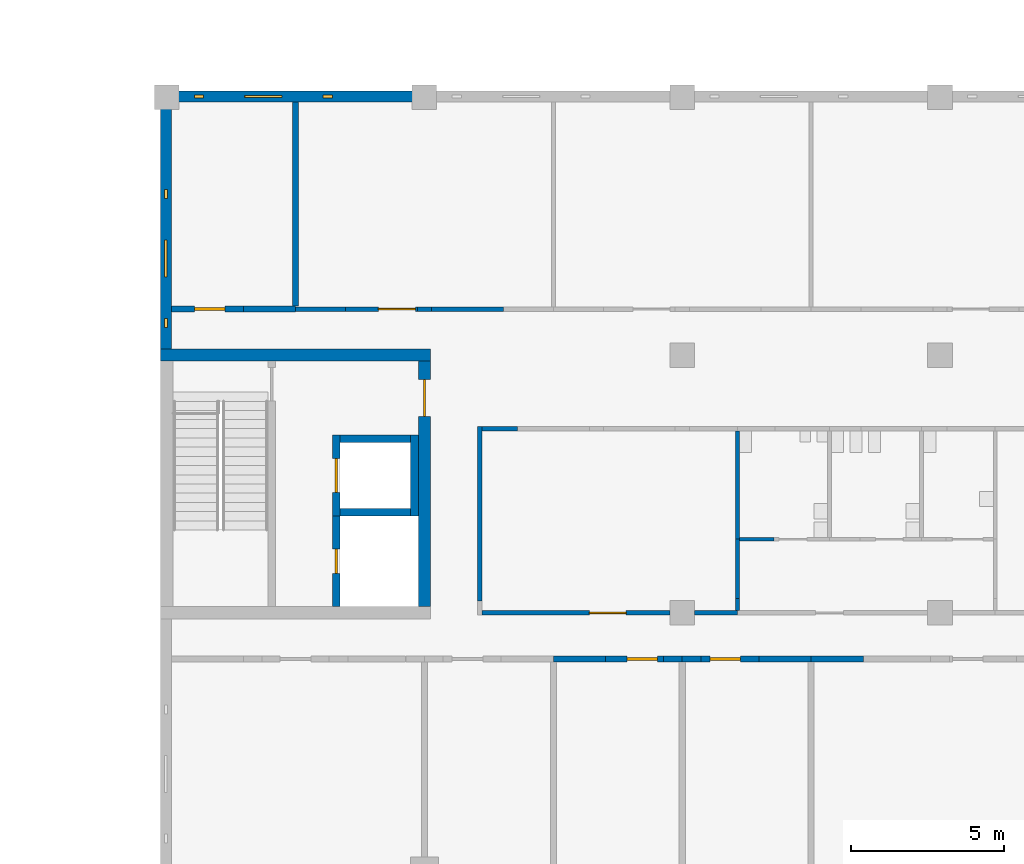
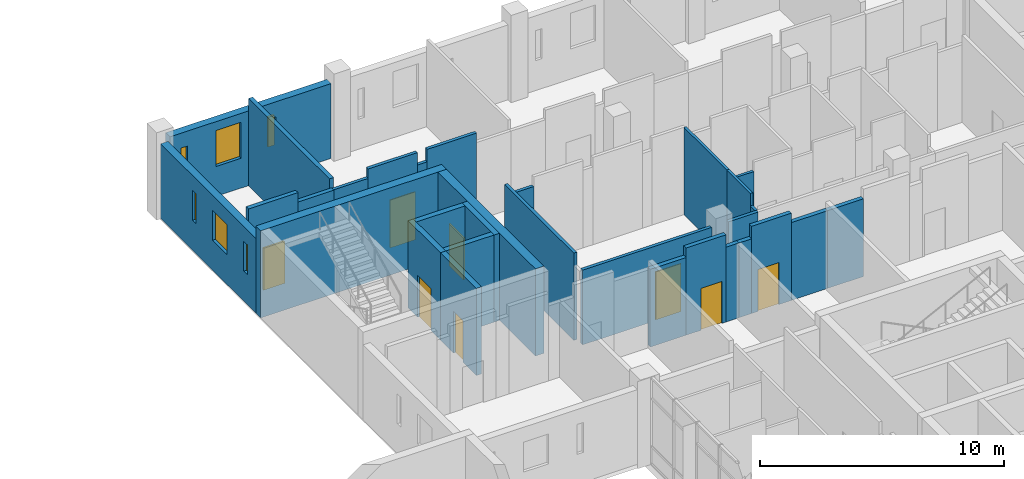
# One storey, part 46 of 70: 31 walls, 8 doors, 6 windows, 14 openings.
"""IFC4 building model written with IfcOpenShell, lengths in metres."""

from ifc_helpers import new_model, si_unit, direction, frame, frame_2d, origin, place, context, subcontext, project, spatial, rectangle, extrude, material, layer, layer_set, type_object, element, fill, save


model = new_model("IFC4")

# Units and contexts
model_context = context("Model", 3, precision=1e-05, world=origin(), true_north=direction((0.0, 1.0)))
body_context = subcontext(model_context, "Body", "Model", "MODEL_VIEW")
ifc_project = project(units=[si_unit("LENGTHUNIT", "METRE"), si_unit("AREAUNIT", "SQUARE_METRE"), si_unit("VOLUMEUNIT", "CUBIC_METRE"), si_unit("PLANEANGLEUNIT", "RADIAN"), si_unit("MASSUNIT", "GRAM", prefix="KILO")], contexts=[model_context])

# Site, building, storey
site_placement = place(None, origin())
site = spatial("IfcSite", under=ifc_project, at=site_placement, CompositionType="ELEMENT")
building_placement = place(site_placement, origin())
building = spatial("IfcBuilding", under=site, at=building_placement, Name="Hlaing Beacon Police Headquarters", CompositionType="ELEMENT")
storey_placement = place(building_placement, frame((0.0, 0.0, 5.39990234375)))
storey = spatial("IfcBuildingStorey", under=building, at=storey_placement, Name="L01", CompositionType="ELEMENT", Elevation=5.39990234375)

# Wall
ifc_material_1 = material(Name="Concrete C60/75", Category="concrete")
ifc_layer_1 = layer(ifc_material_1, 0.39990234375)
ifc_layer_set_1 = layer_set([ifc_layer_1], Name="Concrete C60/75")
wall_type_1 = type_object("IfcWallType", Name="Core shear wall 400", PredefinedType="SHEAR", material=ifc_layer_set_1)
wall_1_placement = place(storey_placement, frame((92.199951171875, 84.0, 0.0), z_axis=(0.0, 0.0, 1.0), x_axis=(1.0, 0.0, 0.0)))
element("IfcWall", 1, at=wall_1_placement, inside=storey, type_object=wall_type_1, Name="Core shear wall", PredefinedType="SHEAR", context=body_context, shape_type="SweptSolid", body=[
    extrude(rectangle(XDim=8.800048828125, YDim=0.39990234375, at=frame_2d((4.39990234375, 0.0))), origin(), (0.0, 0.0, 1.0), 4.3701171875),
])

# Wall, opening, door
wall_2_placement = place(storey_placement, frame((100.800048828125, 75.800048828125, 0.0), z_axis=(0.0, 0.0, 1.0), x_axis=(0.0, 1.0, 0.0)))
wall_2 = element("IfcWall", 2, at=wall_2_placement, inside=storey, type_object=wall_type_1, Name="Core shear wall", PredefinedType="SHEAR", context=body_context, shape_type="SweptSolid", body=[
    extrude(rectangle(XDim=8.0, YDim=0.39990234375, at=frame_2d((4.0, 0.0))), origin(), (0.0, 0.0, 1.0), 4.3701171875),
])
opening_1_placement = place(wall_2_placement, frame((6.199951171875, 0.0, 0.0)))
opening_1 = element("IfcOpeningElement", 3, at=opening_1_placement, cuts=wall_2, Name="Opening L01-966", PredefinedType="OPENING", context=body_context, shape_type="SweptSolid", body=[
    extrude(rectangle(XDim=1.199951171875, YDim=2.10009765625, at=frame_2d((0.60009765625, 1.050048828125))), frame((0.0, 0.2099609375, 0.0), z_axis=(0.0, -1.0, 0.0), x_axis=(1.0, 0.0, 0.0)), (0.0, 0.0, 1.0), 0.419921875),
])
ifc_material_2 = material(Name="Steel fire door leaf", Category="steel")
ifc_layer_2 = layer(ifc_material_2, 0.070068359375)
ifc_layer_set_2 = layer_set([ifc_layer_2], Name="Steel fire door leaf")
door_type_1 = type_object("IfcDoorType", Name="Steel fire door FD60S 1200x2100", OperationType="SINGLE_SWING_LEFT", PredefinedType="DOOR", material=ifc_layer_set_2)
door_1_placement = place(opening_1_placement, origin())
door_1 = element("IfcDoor", 4, at=door_1_placement, inside=storey, type_object=door_type_1, Name="Door Lift and Stair Lobby ST-Q Entry", OperationType="SINGLE_SWING_RIGHT", OverallHeight=2.10009765625, OverallWidth=1.199951171875, PredefinedType="DOOR", context=body_context, shape_type="SweptSolid", body=[
    extrude(rectangle(XDim=1.199951171875, YDim=2.10009765625, at=frame_2d((0.60009765625, 1.050048828125))), frame((0.0, 0.03515625, 0.0), z_axis=(0.0, -1.0, 0.0), x_axis=(1.0, 0.0, 0.0)), (0.0, 0.0, 1.0), 0.070068359375),
])
fill(opening_1, door_1)

# Wall
ifc_material_3 = material(Name="Gypsum board partition")
ifc_layer_3 = layer(ifc_material_3, 0.14990234375)
ifc_layer_set_3 = layer_set([ifc_layer_3], Name="Gypsum board partition")
wall_type_2 = type_object("IfcWallType", Name="Corridor wall EI 30 150", PredefinedType="PARTITIONING", material=ifc_layer_set_3)
wall_3_placement = place(storey_placement, frame((102.60009765625, 75.985107421875, 0.0), z_axis=(0.0, 0.0, 1.0), x_axis=(0.0, 1.0, 0.0)))
element("IfcWall", 5, at=wall_3_placement, inside=storey, type_object=wall_type_2, Name="Corridor wall EI 30 150", PredefinedType="PARTITIONING", context=body_context, shape_type="SweptSolid", body=[
    extrude(rectangle(XDim=5.68994140625, YDim=0.14990234375, at=frame_2d((2.844970703125, 0.0))), origin(), (0.0, 0.0, 1.0), 4.3701171875),
])

# Wall, opening, door
wall_4_placement = place(storey_placement, frame((102.675048828125, 75.60009765625, 0.0), z_axis=(0.0, 0.0, 1.0), x_axis=(1.0, 0.0, 0.0)))
wall_4 = element("IfcWall", 6, at=wall_4_placement, inside=storey, type_object=wall_type_2, Name="Corridor wall EI 30 150", PredefinedType="PARTITIONING", context=body_context, shape_type="SweptSolid", body=[
    extrude(rectangle(XDim=6.125, YDim=0.14990234375, at=frame_2d((3.0625, 0.0))), origin(), (0.0, 0.0, 1.0), 3.74609375),
])
opening_2_placement = place(wall_4_placement, frame((3.5, 0.0, 0.0)))
opening_2 = element("IfcOpeningElement", 7, at=opening_2_placement, cuts=wall_4, Name="Opening L01-069", PredefinedType="OPENING", context=body_context, shape_type="SweptSolid", body=[
    extrude(rectangle(XDim=1.199951171875, YDim=2.39990234375, at=frame_2d((0.60009765625, 1.199951171875))), frame((0.0, 0.0849609375, 0.0), z_axis=(0.0, -1.0, 0.0), x_axis=(1.0, 0.0, 0.0)), (0.0, 0.0, 1.0), 0.169921875),
])
ifc_material_4 = material(Name="Hardwood door leaf", Category="wood")
ifc_layer_4 = layer(ifc_material_4, 0.050048828125)
ifc_layer_set_4 = layer_set([ifc_layer_4], Name="Hardwood door leaf")
door_type_2 = type_object("IfcDoorType", Name="Fire public door FD30S 1200x2400", OperationType="SINGLE_SWING_LEFT", PredefinedType="DOOR", material=ifc_layer_set_4)
door_2_placement = place(opening_2_placement, origin())
door_2 = element("IfcDoor", 8, at=door_2_placement, inside=storey, type_object=door_type_2, Name="Door Driver Training Simulator Room", OperationType="SINGLE_SWING_RIGHT", OverallHeight=2.39990234375, OverallWidth=1.199951171875, PredefinedType="DOOR", context=body_context, shape_type="SweptSolid", body=[
    extrude(rectangle(XDim=1.199951171875, YDim=2.39990234375, at=frame_2d((0.60009765625, 1.199951171875))), frame((0.0, 0.02490234375, 0.0), z_axis=(0.0, -1.0, 0.0), x_axis=(1.0, 0.0, 0.0)), (0.0, 0.0, 1.0), 0.050048828125),
])
fill(opening_2, door_2)

# Walls
wall_5_placement = place(storey_placement, frame((109.60009765625, 75.60009765625, 0.0), z_axis=(0.0, 0.0, 1.0), x_axis=(1.0, 0.0, 0.0)))
element("IfcWall", 9, at=wall_5_placement, inside=storey, type_object=wall_type_2, Name="Corridor wall EI 30 150", PredefinedType="PARTITIONING", context=body_context, shape_type="SweptSolid", body=[
    extrude(rectangle(XDim=1.39990234375, YDim=0.14990234375, at=frame_2d((0.699951171875, 0.0))), origin(), (0.0, 0.0, 1.0), 3.74609375),
])
wall_6_placement = place(storey_placement, frame((102.675048828125, 81.60009765625, 0.0), z_axis=(0.0, 0.0, 1.0), x_axis=(1.0, 0.0, 0.0)))
element("IfcWall", 10, at=wall_6_placement, inside=storey, type_object=wall_type_2, Name="Corridor wall EI 30 150", PredefinedType="PARTITIONING", context=body_context, shape_type="SweptSolid", body=[
    extrude(rectangle(XDim=1.155029296875, YDim=0.14990234375, at=frame_2d((0.57763671875, 0.0))), origin(), (0.0, 0.0, 1.0), 3.89501953125),
])
wall_7_placement = place(storey_placement, frame((96.60009765625, 85.5, 0.0), z_axis=(0.0, 0.0, 1.0), x_axis=(1.0, 0.0, 0.0)))
element("IfcWall", 11, at=wall_7_placement, inside=storey, type_object=wall_type_2, Name="Corridor wall EI 30 150", PredefinedType="PARTITIONING", context=body_context, shape_type="SweptSolid", body=[
    extrude(rectangle(XDim=1.6298828125, YDim=0.14990234375, at=frame_2d((0.81494140625, 0.0))), origin(), (0.0, 0.0, 1.0), 3.89501953125),
])

# Wall, opening, door
wall_8_placement = place(storey_placement, frame((98.22998046875, 85.5, 0.0), z_axis=(0.0, 0.0, 1.0), x_axis=(1.0, 0.0, 0.0)))
wall_8 = element("IfcWall", 12, at=wall_8_placement, inside=storey, type_object=wall_type_2, Name="Corridor wall EI 30 150", PredefinedType="PARTITIONING", context=body_context, shape_type="SweptSolid", body=[
    extrude(rectangle(XDim=2.340087890625, YDim=0.14990234375, at=frame_2d((1.169921875, 0.0))), origin(), (0.0, 0.0, 1.0), 4.3701171875),
])
opening_3_placement = place(wall_8_placement, frame((1.070068359375, 0.0, 0.0)))
opening_3 = element("IfcOpeningElement", 13, at=opening_3_placement, cuts=wall_8, Name="Opening L01-076", PredefinedType="OPENING", context=body_context, shape_type="SweptSolid", body=[
    extrude(rectangle(XDim=1.199951171875, YDim=2.39990234375, at=frame_2d((0.60009765625, 1.199951171875))), frame((0.0, 0.0849609375, 0.0), z_axis=(0.0, -1.0, 0.0), x_axis=(1.0, 0.0, 0.0)), (0.0, 0.0, 1.0), 0.169921875),
])
door_3_placement = place(opening_3_placement, origin())
door_3 = element("IfcDoor", 14, at=door_3_placement, inside=storey, type_object=door_type_2, Name="Door Custody Staff Room", OperationType="SINGLE_SWING_LEFT", OverallHeight=2.39990234375, OverallWidth=1.199951171875, PredefinedType="DOOR", context=body_context, shape_type="SweptSolid", body=[
    extrude(rectangle(XDim=1.199951171875, YDim=2.39990234375, at=frame_2d((0.60009765625, 1.199951171875))), frame((0.0, 0.02490234375, 0.0), z_axis=(0.0, -1.0, 0.0), x_axis=(1.0, 0.0, 0.0)), (0.0, 0.0, 1.0), 0.050048828125),
])
fill(opening_3, door_3)

# Walls
wall_9_placement = place(storey_placement, frame((100.570068359375, 85.5, 0.0), z_axis=(0.0, 0.0, 1.0), x_axis=(1.0, 0.0, 0.0)))
element("IfcWall", 15, at=wall_9_placement, inside=storey, type_object=wall_type_2, Name="Corridor wall EI 30 150", PredefinedType="PARTITIONING", context=body_context, shape_type="SweptSolid", body=[
    extrude(rectangle(XDim=0.4599609375, YDim=0.14990234375, at=frame_2d((0.22998046875, 0.0))), origin(), (0.0, 0.0, 1.0), 3.74609375),
])
wall_10_placement = place(storey_placement, frame((101.030029296875, 85.5, 0.0), z_axis=(0.0, 0.0, 1.0), x_axis=(1.0, 0.0, 0.0)))
element("IfcWall", 16, at=wall_10_placement, inside=storey, type_object=wall_type_2, Name="Corridor wall EI 30 150", PredefinedType="PARTITIONING", context=body_context, shape_type="SweptSolid", body=[
    extrude(rectangle(XDim=2.340087890625, YDim=0.14990234375, at=frame_2d((1.169921875, 0.0))), origin(), (0.0, 0.0, 1.0), 4.3701171875),
])
ifc_material_5 = material(Name="Concrete blockwork 7.5 N/mm2", Category="masonry")
ifc_layer_5 = layer(ifc_material_5, 0.199951171875)
ifc_layer_set_5 = layer_set([ifc_layer_5], Name="Concrete blockwork 7.5 N/mm2")
wall_type_3 = type_object("IfcWallType", Name="Custody wall EI 60 200", PredefinedType="PARTITIONING", material=ifc_layer_set_5)
wall_11_placement = place(storey_placement, frame((96.60009765625, 85.60009765625, 0.0), z_axis=(0.0, 0.0, 1.0), x_axis=(0.0, 1.0, 0.0)))
element("IfcWall", 17, at=wall_11_placement, inside=storey, type_object=wall_type_3, Name="Custody wall EI 60 200", PredefinedType="PARTITIONING", context=body_context, shape_type="SweptSolid", body=[
    extrude(rectangle(XDim=6.64990234375, YDim=0.199951171875, at=frame_2d((3.324951171875, 0.0))), origin(), (0.0, 0.0, 1.0), 4.3701171875),
])

# Wall, opening, door
wall_12_placement = place(storey_placement, frame((92.550048828125, 85.5, 0.0), z_axis=(0.0, 0.0, 1.0), x_axis=(1.0, 0.0, 0.0)))
wall_12 = element("IfcWall", 18, at=wall_12_placement, inside=storey, type_object=wall_type_3, Name="Custody wall EI 60 200", PredefinedType="PARTITIONING", context=body_context, shape_type="SweptSolid", body=[
    extrude(rectangle(XDim=2.344970703125, YDim=0.199951171875, at=frame_2d((1.17236328125, 0.0))), origin(), (0.0, 0.0, 1.0), 4.3701171875),
])
opening_4_placement = place(wall_12_placement, frame((0.75, 0.0, 0.0)))
opening_4 = element("IfcOpeningElement", 19, at=opening_4_placement, cuts=wall_12, Name="Opening L01-075", PredefinedType="OPENING", context=body_context, shape_type="SweptSolid", body=[
    extrude(rectangle(XDim=1.0, YDim=2.10009765625, at=frame_2d((0.5, 1.050048828125))), frame((0.0, 0.10986328125, 0.0), z_axis=(0.0, -1.0, 0.0), x_axis=(1.0, 0.0, 0.0)), (0.0, 0.0, 1.0), 0.219970703125),
])
ifc_material_6 = material(Name="Steel security door leaf", Category="steel")
ifc_layer_6 = layer(ifc_material_6, 0.090087890625)
ifc_layer_set_6 = layer_set([ifc_layer_6], Name="Steel security door leaf")
door_type_3 = type_object("IfcDoorType", Name="Steel security door FD60 1000x2100", OperationType="SINGLE_SWING_LEFT", PredefinedType="DOOR", material=ifc_layer_set_6)
door_4_placement = place(opening_4_placement, origin())
door_4 = element("IfcDoor", 20, at=door_4_placement, inside=storey, type_object=door_type_3, Name="Door Custody Sergeant's Office", OperationType="SINGLE_SWING_RIGHT", OverallHeight=2.10009765625, OverallWidth=1.0, PredefinedType="DOOR", context=body_context, shape_type="SweptSolid", body=[
    extrude(rectangle(XDim=1.0, YDim=2.10009765625, at=frame_2d((0.5, 1.050048828125))), frame((0.0, 0.044921875, 0.0), z_axis=(0.0, -1.0, 0.0), x_axis=(1.0, 0.0, 0.0)), (0.0, 0.0, 1.0), 0.090087890625),
])
fill(opening_4, door_4)

# Walls
for number, where, z_axis, x_axis, name in (
    (21, (94.89501953125, 85.5, 0.0), (0.0, 0.0, 1.0), (1.0, 0.0, 0.0), "Custody wall EI 60 200"),
    (22, (105.0, 74.10009765625, 0.0), (0.0, 0.0, 1.0), (1.0, 0.0, 0.0), "Custody wall EI 60 200"),
):
    element("IfcWall", number, at=place(storey_placement, frame(where, z_axis=z_axis, x_axis=x_axis)), inside=storey, type_object=wall_type_3, Name=name, PredefinedType="PARTITIONING", context=body_context, shape_type="SweptSolid", body=[
        extrude(rectangle(XDim=1.705078125, YDim=0.199951171875, at=frame_2d((0.8525390625, 0.0))), origin(), (0.0, 0.0, 1.0), 3.89501953125),
    ])

# Wall, opening, door
wall_13_placement = place(storey_placement, frame((106.705078125, 74.10009765625, 0.0), z_axis=(0.0, 0.0, 1.0), x_axis=(1.0, 0.0, 0.0)))
wall_13 = element("IfcWall", 23, at=wall_13_placement, inside=storey, type_object=wall_type_3, Name="Custody wall EI 60 200", PredefinedType="PARTITIONING", context=body_context, shape_type="SweptSolid", body=[
    extrude(rectangle(XDim=1.885009765625, YDim=0.199951171875, at=frame_2d((0.9423828125, 0.0))), origin(), (0.0, 0.0, 1.0), 4.3701171875),
])
opening_5_placement = place(wall_13_placement, frame((0.695068359375, 0.0, 0.0)))
opening_5 = element("IfcOpeningElement", 24, at=opening_5_placement, cuts=wall_13, Name="Opening L01-083", PredefinedType="OPENING", context=body_context, shape_type="SweptSolid", body=[
    extrude(rectangle(XDim=1.0, YDim=2.10009765625, at=frame_2d((0.5, 1.050048828125))), frame((0.0, 0.10986328125, 0.0), z_axis=(0.0, -1.0, 0.0), x_axis=(1.0, 0.0, 0.0)), (0.0, 0.0, 1.0), 0.219970703125),
])
door_5_placement = place(opening_5_placement, frame((1.0, 0.0, 0.0), z_axis=(0.0, 0.0, 1.0), x_axis=(-1.0, 0.0, 0.0)))
door_5 = element("IfcDoor", 25, at=door_5_placement, inside=storey, type_object=door_type_3, Name="Door Solicitor Interview Room 1", OperationType="SINGLE_SWING_RIGHT", OverallHeight=2.10009765625, OverallWidth=1.0, PredefinedType="DOOR", context=body_context, shape_type="SweptSolid", body=[
    extrude(rectangle(XDim=1.0, YDim=2.10009765625, at=frame_2d((0.5, 1.050048828125))), frame((0.0, 0.045166015625, 0.0), z_axis=(0.0, -1.0, 0.0), x_axis=(1.0, 0.0, 0.0)), (0.0, 0.0, 1.0), 0.090087890625),
])
fill(opening_5, door_5)

# Walls
wall_14_placement = place(storey_placement, frame((108.590087890625, 74.10009765625, 0.0), z_axis=(0.0, 0.0, 1.0), x_axis=(1.0, 0.0, 0.0)))
element("IfcWall", 26, at=wall_14_placement, inside=storey, type_object=wall_type_3, Name="Custody wall EI 60 200", PredefinedType="PARTITIONING", context=body_context, shape_type="SweptSolid", body=[
    extrude(rectangle(XDim=0.60986328125, YDim=0.199951171875, at=frame_2d((0.304931640625, 0.0))), origin(), (0.0, 0.0, 1.0), 3.74609375),
])
wall_15_placement = place(storey_placement, frame((109.199951171875, 74.10009765625, 0.0), z_axis=(0.0, 0.0, 1.0), x_axis=(1.0, 0.0, 0.0)))
element("IfcWall", 27, at=wall_15_placement, inside=storey, type_object=wall_type_3, Name="Custody wall EI 60 200", PredefinedType="PARTITIONING", context=body_context, shape_type="SweptSolid", body=[
    extrude(rectangle(XDim=0.610107421875, YDim=0.199951171875, at=frame_2d((0.30517578125, 0.0))), origin(), (0.0, 0.0, 1.0), 3.74609375),
])

# Wall, opening, door
wall_16_placement = place(storey_placement, frame((109.81005859375, 74.10009765625, 0.0), z_axis=(0.0, 0.0, 1.0), x_axis=(1.0, 0.0, 0.0)))
wall_16 = element("IfcWall", 28, at=wall_16_placement, inside=storey, type_object=wall_type_3, Name="Custody wall EI 60 200", PredefinedType="PARTITIONING", context=body_context, shape_type="SweptSolid", body=[
    extrude(rectangle(XDim=1.885009765625, YDim=0.199951171875, at=frame_2d((0.9423828125, 0.0))), origin(), (0.0, 0.0, 1.0), 4.3701171875),
])
opening_6_placement = place(wall_16_placement, frame((0.2900390625, 0.0, 0.0)))
opening_6 = element("IfcOpeningElement", 29, at=opening_6_placement, cuts=wall_16, Name="Opening L01-084", PredefinedType="OPENING", context=body_context, shape_type="SweptSolid", body=[
    extrude(rectangle(XDim=1.0, YDim=2.10009765625, at=frame_2d((0.5, 1.050048828125))), frame((0.0, 0.10986328125, 0.0), z_axis=(0.0, -1.0, 0.0), x_axis=(1.0, 0.0, 0.0)), (0.0, 0.0, 1.0), 0.219970703125),
])
door_6_placement = place(opening_6_placement, frame((1.0, 0.0, 0.0), z_axis=(0.0, 0.0, 1.0), x_axis=(-1.0, 0.0, 0.0)))
door_6 = element("IfcDoor", 30, at=door_6_placement, inside=storey, type_object=door_type_3, Name="Door Solicitor Interview Room 2", OperationType="SINGLE_SWING_LEFT", OverallHeight=2.10009765625, OverallWidth=1.0, PredefinedType="DOOR", context=body_context, shape_type="SweptSolid", body=[
    extrude(rectangle(XDim=1.0, YDim=2.10009765625, at=frame_2d((0.5, 1.050048828125))), frame((0.0, 0.045166015625, 0.0), z_axis=(0.0, -1.0, 0.0), x_axis=(1.0, 0.0, 0.0)), (0.0, 0.0, 1.0), 0.090087890625),
])
fill(opening_6, door_6)

# Walls
wall_17_placement = place(storey_placement, frame((111.695068359375, 74.10009765625, 0.0), z_axis=(0.0, 0.0, 1.0), x_axis=(1.0, 0.0, 0.0)))
element("IfcWall", 31, at=wall_17_placement, inside=storey, type_object=wall_type_3, Name="Custody wall EI 60 200", PredefinedType="PARTITIONING", context=body_context, shape_type="SweptSolid", body=[
    extrude(rectangle(XDim=1.704833984375, YDim=0.199951171875, at=frame_2d((0.8525390625, 0.0))), origin(), (0.0, 0.0, 1.0), 3.89501953125),
])
wall_18_placement = place(storey_placement, frame((113.39990234375, 74.10009765625, 0.0), z_axis=(0.0, 0.0, 1.0), x_axis=(1.0, 0.0, 0.0)))
element("IfcWall", 32, at=wall_18_placement, inside=storey, type_object=wall_type_3, Name="Custody wall EI 60 200", PredefinedType="PARTITIONING", context=body_context, shape_type="SweptSolid", body=[
    extrude(rectangle(XDim=1.705078125, YDim=0.199951171875, at=frame_2d((0.8525390625, 0.0))), origin(), (0.0, 0.0, 1.0), 3.89501953125),
])
ifc_material_7 = material(Name="Gypsum board partition")
ifc_layer_7 = layer(ifc_material_7, 0.125)
ifc_layer_set_7 = layer_set([ifc_layer_7], Name="Gypsum board partition")
wall_type_4 = type_object("IfcWallType", Name="Partition 125", PredefinedType="PARTITIONING", material=ifc_layer_set_7)
wall_19_placement = place(storey_placement, frame((111.0, 75.675048828125, 0.0), z_axis=(0.0, 0.0, 1.0), x_axis=(0.0, 1.0, 0.0)))
element("IfcWall", 33, at=wall_19_placement, inside=storey, type_object=wall_type_4, Name="Partition 125", PredefinedType="PARTITIONING", context=body_context, shape_type="SweptSolid", body=[
    extrude(rectangle(XDim=0.385009765625, YDim=0.125, at=frame_2d((0.1923828125, 0.0))), origin(), (0.0, 0.0, 1.0), 3.74609375),
])
wall_20_placement = place(storey_placement, frame((111.0, 76.06005859375, 0.0), z_axis=(0.0, 0.0, 1.0), x_axis=(0.0, 1.0, 0.0)))
element("IfcWall", 34, at=wall_20_placement, inside=storey, type_object=wall_type_4, Name="Partition 125", PredefinedType="PARTITIONING", context=body_context, shape_type="SweptSolid", body=[
    extrude(rectangle(XDim=1.93994140625, YDim=0.125, at=frame_2d((0.969970703125, 0.0))), origin(), (0.0, 0.0, 1.0), 4.3701171875),
])
wall_21_placement = place(storey_placement, frame((111.0, 78.0, 0.0), z_axis=(0.0, 0.0, 1.0), x_axis=(0.0, 1.0, 0.0)))
element("IfcWall", 35, at=wall_21_placement, inside=storey, type_object=wall_type_4, Name="Partition 125", PredefinedType="PARTITIONING", context=body_context, shape_type="SweptSolid", body=[
    extrude(rectangle(XDim=3.52490234375, YDim=0.125, at=frame_2d((1.762451171875, 0.0))), origin(), (0.0, 0.0, 1.0), 4.3701171875),
])
wall_22_placement = place(storey_placement, frame((111.06201171875, 78.0, 0.0), z_axis=(0.0, 0.0, 1.0), x_axis=(1.0, 0.0, 0.0)))
element("IfcWall", 36, at=wall_22_placement, inside=storey, type_object=wall_type_4, Name="Partition 125", PredefinedType="PARTITIONING", context=body_context, shape_type="SweptSolid", body=[
    extrude(rectangle(XDim=1.1298828125, YDim=0.125, at=frame_2d((0.56494140625, 0.0))), origin(), (0.0, 0.0, 1.0), 3.89501953125),
])

# Wall, openings, windows
ifc_material_8 = material(Name="Concrete C40/50 precast with security mesh", Category="concrete")
ifc_layer_8 = layer(ifc_material_8, 0.35009765625)
ifc_layer_set_8 = layer_set([ifc_layer_8], Name="Concrete C40/50 precast with security mesh")
wall_type_5 = type_object("IfcWallType", Name="Precast security wall 350", PredefinedType="SOLIDWALL", material=ifc_layer_set_8)
wall_23_placement = place(storey_placement, frame((100.419921875, 92.425048828125, 0.0), z_axis=(0.0, 0.0, 1.0), x_axis=(-1.0, 0.0, 0.0)))
wall_23 = element("IfcWall", 37, at=wall_23_placement, inside=storey, type_object=wall_type_5, Name="External wall L01 N037", PredefinedType="SOLIDWALL", context=body_context, shape_type="SweptSolid", body=[
    extrude(rectangle(XDim=7.639892578125, YDim=0.35009765625, at=frame_2d((3.81982421875, 0.0))), origin(), (0.0, 0.0, 1.0), 3.74609375),
])
opening_7_placement = place(wall_23_placement, frame((2.6201171875, 0.0, 1.5)))
opening_7 = element("IfcOpeningElement", 38, at=opening_7_placement, cuts=wall_23, Name="Opening WN21", PredefinedType="OPENING", context=body_context, shape_type="SweptSolid", body=[
    extrude(rectangle(XDim=0.300048828125, YDim=1.5, at=frame_2d((0.14990234375, 0.75))), frame((0.0, 0.18505859375, 0.0), z_axis=(0.0, -1.0, 0.0), x_axis=(1.0, 0.0, 0.0)), (0.0, 0.0, 1.0), 0.3701171875),
])
opening_8_placement = place(wall_23_placement, frame((4.27001953125, 0.0, 1.5)))
opening_8 = element("IfcOpeningElement", 39, at=opening_8_placement, cuts=wall_23, Name="Opening WN26", PredefinedType="OPENING", context=body_context, shape_type="SweptSolid", body=[
    extrude(rectangle(XDim=1.199951171875, YDim=1.800048828125, at=frame_2d((0.60009765625, 0.89990234375))), frame((0.0, 0.18505859375, 0.0), z_axis=(0.0, -1.0, 0.0), x_axis=(1.0, 0.0, 0.0)), (0.0, 0.0, 1.0), 0.3701171875),
])
opening_9_placement = place(wall_23_placement, frame((6.820068359375, 0.0, 1.5)))
opening_9 = element("IfcOpeningElement", 40, at=opening_9_placement, cuts=wall_23, Name="Opening WN21", PredefinedType="OPENING", context=body_context, shape_type="SweptSolid", body=[
    extrude(rectangle(XDim=0.300048828125, YDim=1.5, at=frame_2d((0.14990234375, 0.75))), frame((0.0, 0.18505859375, 0.0), z_axis=(0.0, -1.0, 0.0), x_axis=(1.0, 0.0, 0.0)), (0.0, 0.0, 1.0), 0.3701171875),
])
ifc_material_9 = material(Name="Aluminium frame with solar control glazing", Category="aluminium")
window_type_1 = type_object("IfcWindowType", Name="Module window 1200x1800 frame 60", PartitioningType="SINGLE_PANEL", PredefinedType="WINDOW", material=ifc_material_9)
window_1_placement = place(opening_8_placement, origin())
window_1 = element("IfcWindow", 41, at=window_1_placement, inside=storey, type_object=window_type_1, Name="Window L01 WC", OverallHeight=1.800048828125, OverallWidth=1.199951171875, PartitioningType="SINGLE_PANEL", PredefinedType="WINDOW", context=body_context, shape_type="SweptSolid", body=[
    extrude(rectangle(XDim=1.199951171875, YDim=1.800048828125, at=frame_2d((0.60009765625, 0.89990234375))), frame((0.0, 0.030029296875, 0.0), z_axis=(0.0, -1.0, 0.0), x_axis=(1.0, 0.0, 0.0)), (0.0, 0.0, 1.0), 0.06005859375),
])
fill(opening_8, window_1)
ifc_material_10 = material(Name="Aluminium frame with solar control glazing", Category="aluminium")
window_type_2 = type_object("IfcWindowType", Name="Slit window 300x1500 frame 100", PartitioningType="SINGLE_PANEL", PredefinedType="WINDOW", material=ifc_material_10)
window_2_placement = place(opening_7_placement, origin())
window_2 = element("IfcWindow", 42, at=window_2_placement, inside=storey, type_object=window_type_2, Name="Window L01 WT", OverallHeight=1.5, OverallWidth=0.300048828125, PartitioningType="SINGLE_PANEL", PredefinedType="WINDOW", context=body_context, shape_type="SweptSolid", body=[
    extrude(rectangle(XDim=0.300048828125, YDim=1.5, at=frame_2d((0.14990234375, 0.75))), frame((0.0, 0.050048828125, 0.0), z_axis=(0.0, -1.0, 0.0), x_axis=(1.0, 0.0, 0.0)), (0.0, 0.0, 1.0), 0.10009765625),
])
fill(opening_7, window_2)
window_3_placement = place(opening_9_placement, origin())
window_3 = element("IfcWindow", 43, at=window_3_placement, inside=storey, type_object=window_type_2, Name="Window L01 WT", OverallHeight=1.5, OverallWidth=0.300048828125, PartitioningType="SINGLE_PANEL", PredefinedType="WINDOW", context=body_context, shape_type="SweptSolid", body=[
    extrude(rectangle(XDim=0.300048828125, YDim=1.5, at=frame_2d((0.14990234375, 0.75))), frame((0.0, 0.050048828125, 0.0), z_axis=(0.0, -1.0, 0.0), x_axis=(1.0, 0.0, 0.0)), (0.0, 0.0, 1.0), 0.10009765625),
])
fill(opening_9, window_3)

wall_24_placement = place(storey_placement, frame((92.375, 92.02001953125, 0.0), z_axis=(0.0, 0.0, 1.0), x_axis=(0.0, -1.0, 0.0)))
wall_24 = element("IfcWall", 44, at=wall_24_placement, inside=storey, type_object=wall_type_5, Name="External wall L01 W038", PredefinedType="SOLIDWALL", context=body_context, shape_type="SweptSolid", body=[
    extrude(rectangle(XDim=7.820068359375, YDim=0.35009765625, at=frame_2d((3.91015625, 0.0))), origin(), (0.0, 0.0, 1.0), 3.74609375),
])
opening_10_placement = place(wall_24_placement, frame((2.6201171875, 0.0, 1.5)))
opening_10 = element("IfcOpeningElement", 45, at=opening_10_placement, cuts=wall_24, Name="Opening WN21", PredefinedType="OPENING", context=body_context, shape_type="SweptSolid", body=[
    extrude(rectangle(XDim=0.300048828125, YDim=1.5, at=frame_2d((0.14990234375, 0.75))), frame((0.0, 0.18505859375, 0.0), z_axis=(0.0, -1.0, 0.0), x_axis=(1.0, 0.0, 0.0)), (0.0, 0.0, 1.0), 0.3701171875),
])
opening_11_placement = place(wall_24_placement, frame((4.27001953125, 0.0, 1.5)))
opening_11 = element("IfcOpeningElement", 46, at=opening_11_placement, cuts=wall_24, Name="Opening WN22", PredefinedType="OPENING", context=body_context, shape_type="SweptSolid", body=[
    extrude(rectangle(XDim=1.199951171875, YDim=1.5, at=frame_2d((0.60009765625, 0.75))), frame((0.0, 0.18505859375, 0.0), z_axis=(0.0, -1.0, 0.0), x_axis=(1.0, 0.0, 0.0)), (0.0, 0.0, 1.0), 0.3701171875),
])
opening_12_placement = place(wall_24_placement, frame((6.820068359375, 0.0, 1.5)))
opening_12 = element("IfcOpeningElement", 47, at=opening_12_placement, cuts=wall_24, Name="Opening WN21", PredefinedType="OPENING", context=body_context, shape_type="SweptSolid", body=[
    extrude(rectangle(XDim=0.300048828125, YDim=1.5, at=frame_2d((0.14990234375, 0.75))), frame((0.0, 0.18505859375, 0.0), z_axis=(0.0, -1.0, 0.0), x_axis=(1.0, 0.0, 0.0)), (0.0, 0.0, 1.0), 0.3701171875),
])
ifc_material_11 = material(Name="Aluminium frame with solar control glazing", Category="aluminium")
window_type_3 = type_object("IfcWindowType", Name="Module window 1200x1500 frame 80", PartitioningType="SINGLE_PANEL", PredefinedType="WINDOW", material=ifc_material_11)
window_4_placement = place(opening_11_placement, origin())
window_4 = element("IfcWindow", 48, at=window_4_placement, inside=storey, type_object=window_type_3, Name="Window L01 WC", OverallHeight=1.5, OverallWidth=1.199951171875, PartitioningType="SINGLE_PANEL", PredefinedType="WINDOW", context=body_context, shape_type="SweptSolid", body=[
    extrude(rectangle(XDim=1.199951171875, YDim=1.5, at=frame_2d((0.60009765625, 0.75))), frame((0.0, 0.0400390625, 0.0), z_axis=(0.0, -1.0, 0.0), x_axis=(1.0, 0.0, 0.0)), (0.0, 0.0, 1.0), 0.080078125),
])
fill(opening_11, window_4)
window_5_placement = place(opening_10_placement, origin())
window_5 = element("IfcWindow", 49, at=window_5_placement, inside=storey, type_object=window_type_2, Name="Window L01 WT", OverallHeight=1.5, OverallWidth=0.300048828125, PartitioningType="SINGLE_PANEL", PredefinedType="WINDOW", context=body_context, shape_type="SweptSolid", body=[
    extrude(rectangle(XDim=0.300048828125, YDim=1.5, at=frame_2d((0.14990234375, 0.75))), frame((0.0, 0.050048828125, 0.0), z_axis=(0.0, -1.0, 0.0), x_axis=(1.0, 0.0, 0.0)), (0.0, 0.0, 1.0), 0.10009765625),
])
fill(opening_10, window_5)
window_6_placement = place(opening_12_placement, origin())
window_6 = element("IfcWindow", 50, at=window_6_placement, inside=storey, type_object=window_type_2, Name="Window L01 WT", OverallHeight=1.5, OverallWidth=0.300048828125, PartitioningType="SINGLE_PANEL", PredefinedType="WINDOW", context=body_context, shape_type="SweptSolid", body=[
    extrude(rectangle(XDim=0.300048828125, YDim=1.5, at=frame_2d((0.14990234375, 0.75))), frame((0.0, 0.050048828125, 0.0), z_axis=(0.0, -1.0, 0.0), x_axis=(1.0, 0.0, 0.0)), (0.0, 0.0, 1.0), 0.10009765625),
])
fill(opening_12, window_6)

# Wall, opening, door
ifc_material_12 = material(Name="Concrete C40/50", Category="concrete")
ifc_layer_9 = layer(ifc_material_12, 0.25)
ifc_layer_set_9 = layer_set([ifc_layer_9], Name="Concrete C40/50")
wall_type_6 = type_object("IfcWallType", Name="Shaft wall 250", PredefinedType="SOLIDWALL", material=ifc_layer_set_9)
wall_25_placement = place(storey_placement, frame((97.925048828125, 78.75, 0.0), z_axis=(0.0, 0.0, 1.0), x_axis=(0.0, -1.0, 0.0)))
wall_25 = element("IfcWall", 51, at=wall_25_placement, inside=storey, type_object=wall_type_6, Name="Lobby wall", PredefinedType="SOLIDWALL", context=body_context, shape_type="SweptSolid", body=[
    extrude(rectangle(XDim=2.949951171875, YDim=0.25, at=frame_2d((1.47509765625, 0.0))), origin(), (0.0, 0.0, 1.0), 4.3701171875),
])
opening_13_placement = place(wall_25_placement, frame((1.074951171875, 0.0, 0.0)))
opening_13 = element("IfcOpeningElement", 52, at=opening_13_placement, cuts=wall_25, Name="Opening L01-967", PredefinedType="OPENING", context=body_context, shape_type="SweptSolid", body=[
    extrude(rectangle(XDim=0.800048828125, YDim=2.10009765625, at=frame_2d((0.39990234375, 1.050048828125))), frame((0.0, 0.135009765625, 0.0), z_axis=(0.0, -1.0, 0.0), x_axis=(1.0, 0.0, 0.0)), (0.0, 0.0, 1.0), 0.27001953125),
])
ifc_material_13 = material(Name="Steel fire door leaf", Category="steel")
ifc_layer_10 = layer(ifc_material_13, 0.070068359375)
ifc_layer_set_10 = layer_set([ifc_layer_10], Name="Steel fire door leaf")
door_type_4 = type_object("IfcDoorType", Name="Steel fire door FD60 800x2100", OperationType="SINGLE_SWING_LEFT", PredefinedType="DOOR", material=ifc_layer_set_10)
door_7_placement = place(opening_13_placement, origin())
door_7 = element("IfcDoor", 53, at=door_7_placement, inside=storey, type_object=door_type_4, Name="Door Services Riser", OperationType="SINGLE_SWING_RIGHT", OverallHeight=2.10009765625, OverallWidth=0.800048828125, PredefinedType="DOOR", context=body_context, shape_type="SweptSolid", body=[
    extrude(rectangle(XDim=0.800048828125, YDim=2.10009765625, at=frame_2d((0.39990234375, 1.050048828125))), frame((0.0, 0.03515625, 0.0), z_axis=(0.0, -1.0, 0.0), x_axis=(1.0, 0.0, 0.0)), (0.0, 0.0, 1.0), 0.070068359375),
])
fill(opening_13, door_7)

# Walls
wall_26_placement = place(storey_placement, frame((100.47509765625, 78.75, 0.0), z_axis=(0.0, 0.0, 1.0), x_axis=(0.0, 1.0, 0.0)))
element("IfcWall", 54, at=wall_26_placement, inside=storey, type_object=wall_type_6, Name="Lift shaft wall DL1", PredefinedType="SOLIDWALL", context=body_context, shape_type="SweptSolid", body=[
    extrude(rectangle(XDim=2.64990234375, YDim=0.25, at=frame_2d((1.324951171875, 0.0))), origin(), (0.0, 0.0, 1.0), 4.3701171875),
])
for number, where, z_axis, x_axis, name in (
    (55, (98.050048828125, 81.27490234375, 0.0), (0.0, 0.0, 1.0), (1.0, 0.0, 0.0), "Lift shaft wall DL1"),
    (56, (98.050048828125, 78.875, 0.0), (0.0, 0.0, 1.0), (1.0, 0.0, 0.0), "Lift shaft wall DL1"),
):
    element("IfcWall", number, at=place(storey_placement, frame(where, z_axis=z_axis, x_axis=x_axis)), inside=storey, type_object=wall_type_6, Name=name, PredefinedType="SOLIDWALL", context=body_context, shape_type="SweptSolid", body=[
        extrude(rectangle(XDim=2.300048828125, YDim=0.25, at=frame_2d((1.14990234375, 0.0))), origin(), (0.0, 0.0, 1.0), 4.3701171875),
    ])

# Wall, opening, door
wall_27_placement = place(storey_placement, frame((97.925048828125, 78.75, 0.0), z_axis=(0.0, 0.0, 1.0), x_axis=(0.0, 1.0, 0.0)))
wall_27 = element("IfcWall", 57, at=wall_27_placement, inside=storey, type_object=wall_type_6, Name="Lift shaft wall DL1", PredefinedType="SOLIDWALL", context=body_context, shape_type="SweptSolid", body=[
    extrude(rectangle(XDim=2.64990234375, YDim=0.25, at=frame_2d((1.324951171875, 0.0))), origin(), (0.0, 0.0, 1.0), 4.3701171875),
])
opening_14_placement = place(wall_27_placement, frame((0.77490234375, 0.0, 0.0)))
opening_14 = element("IfcOpeningElement", 58, at=opening_14_placement, cuts=wall_27, Name="Opening LD-DL1-L01", PredefinedType="OPENING", context=body_context, shape_type="SweptSolid", body=[
    extrude(rectangle(XDim=1.10009765625, YDim=2.10009765625, at=frame_2d((0.550048828125, 1.050048828125))), frame((0.0, 0.135009765625, 0.0), z_axis=(0.0, -1.0, 0.0), x_axis=(1.0, 0.0, 0.0)), (0.0, 0.0, 1.0), 0.27001953125),
])
ifc_material_14 = material(Name="Stainless steel lift landing door", Category="steel")
ifc_layer_11 = layer(ifc_material_14, 0.06005859375)
ifc_layer_set_11 = layer_set([ifc_layer_11], Name="Stainless steel lift landing door")
door_type_5 = type_object("IfcDoorType", Name="Lift landing door 1100x2100", OperationType="DOUBLE_DOOR_SLIDING", PredefinedType="DOOR", material=ifc_layer_set_11)
door_8_placement = place(opening_14_placement, origin())
door_8 = element("IfcDoor", 59, at=door_8_placement, inside=storey, type_object=door_type_5, Name="Landing door DL1 L01", OperationType="DOUBLE_DOOR_SLIDING", OverallHeight=2.10009765625, OverallWidth=1.10009765625, PredefinedType="DOOR", context=body_context, shape_type="SweptSolid", body=[
    extrude(rectangle(XDim=1.10009765625, YDim=2.10009765625, at=frame_2d((0.550048828125, 1.050048828125))), frame((0.0, 0.0400390625, 0.0), z_axis=(0.0, -1.0, 0.0), x_axis=(1.0, 0.0, 0.0)), (0.0, 0.0, 1.0), 0.080078125),
])
fill(opening_14, door_8)

save(model, "model.ifc")
